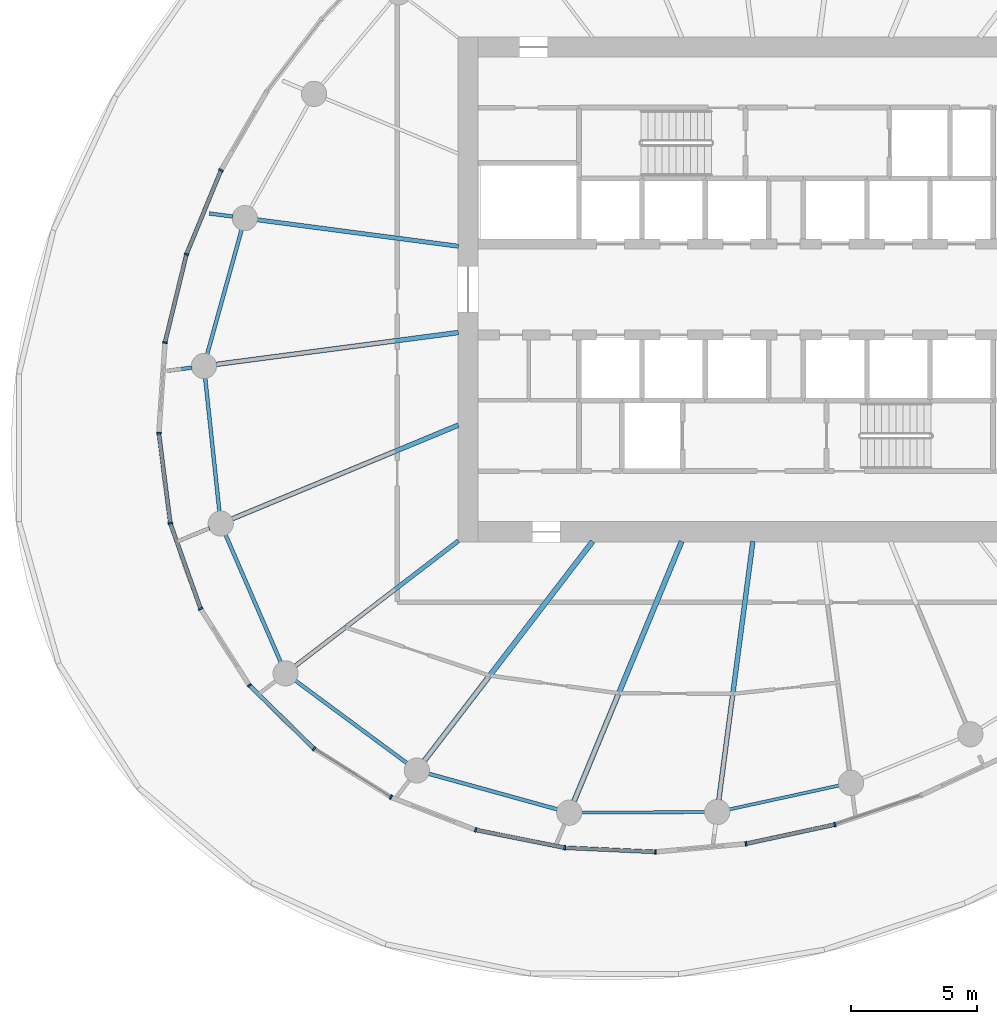
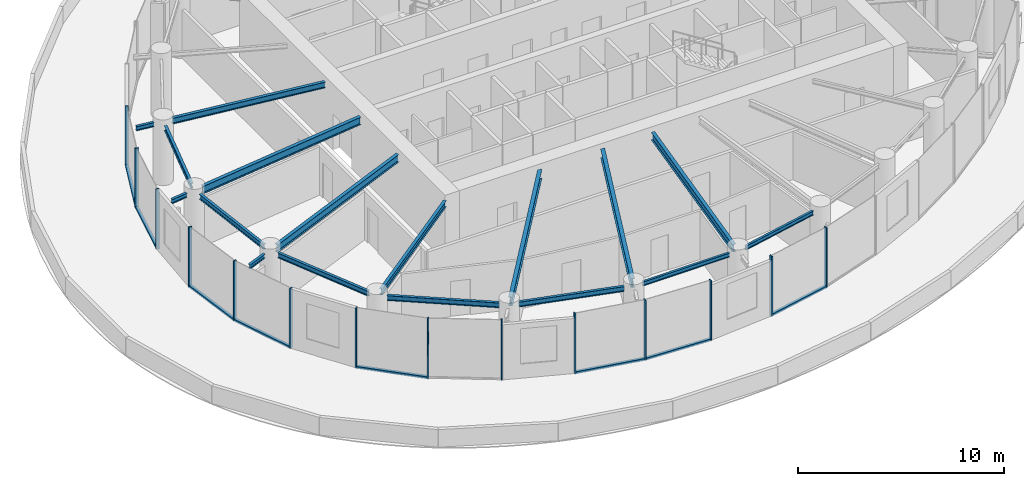
# One storey, part 2 of 21: 22 members, 17 beams, 3 elements without a shape of their own.
"""IFC4 building model written with IfcOpenShell, lengths in metres."""

from ifc_helpers import new_model, si_unit, direction, frame, origin, origin_2d, place, context, subcontext, project, spatial, rectangle, i_section, extrude, source, transform, mapped, material, layer, layer_set, material_profile, profile_set, type_object, element, aggregate, save


model = new_model("IFC4")

# Units and contexts
model_context = context("Model", 3, precision=1e-05, world=origin(), true_north=direction((0.0, 1.0)))
body_context = subcontext(model_context, "Body", "Model", "MODEL_VIEW")
ifc_project = project(units=[si_unit("LENGTHUNIT", "METRE"), si_unit("AREAUNIT", "SQUARE_METRE"), si_unit("VOLUMEUNIT", "CUBIC_METRE"), si_unit("PLANEANGLEUNIT", "RADIAN"), si_unit("MASSUNIT", "GRAM", prefix="KILO")], contexts=[model_context])

# Site, building, storey
site_placement = place(None, origin())
site = spatial("IfcSite", under=ifc_project, at=site_placement, CompositionType="ELEMENT")
building_placement = place(site_placement, origin())
building = spatial("IfcBuilding", under=site, at=building_placement, Name="Spindrift Exchange Tower", CompositionType="ELEMENT")
storey_placement = place(building_placement, frame((0.0, 0.0, 133.10009765625)))
storey = spatial("IfcBuildingStorey", under=building, at=storey_placement, Name="L31", CompositionType="ELEMENT", Elevation=133.10009765625)

# Beams
ifc_material_1 = material(Name="Steel Grade 300", Category="steel")
ifc_material_profile_1 = material_profile(ifc_material_1, i_section(OverallWidth=0.18994140625, OverallDepth=0.4541015625, WebThickness=0.008544921875, FlangeThickness=0.0126953125, FilletRadius=0.013916015625, at=origin_2d()), Name="460UB67.1")
ifc_profile_set_1 = profile_set([ifc_material_profile_1], Name="Steel Grade 300")
beam_type_1 = type_object("IfcBeamType", Name="Floor Beam 460UB67.1 Steel Grade 300", PredefinedType="BEAM", material=ifc_profile_set_1)
shared_shape_1 = source(origin(), body_context, "Body", "SweptSolid", [
    extrude(i_section(OverallWidth=0.18994140625, OverallDepth=0.4541015625, WebThickness=0.008544921875, FlangeThickness=0.0126953125, FilletRadius=0.013916015625, at=origin_2d()), origin(), (0.0, 0.0, 1.0), 9.688720703125),
])
beam_1_placement = place(storey_placement, frame((39.019775390625, 46.291015625, 3.352783203125), z_axis=(-0.991448119245, -0.130501443846, 0.0), x_axis=(0.130501443846, -0.991448119245, 0.0)))
element("IfcBeam", 1, at=beam_1_placement, inside=storey, type_object=beam_type_1, Name="L31 radial beam R13A", PredefinedType="BEAM", context=body_context, shape_type="MappedRepresentation", body=[
    mapped(shared_shape_1, transform((0.0, 0.0, 0.0), scale=1.0)),
])
shared_shape_2 = source(origin(), body_context, "Body", "SweptSolid", [
    extrude(i_section(OverallWidth=0.18994140625, OverallDepth=0.4541015625, WebThickness=0.008544921875, FlangeThickness=0.0126953125, FilletRadius=0.013916015625, at=origin_2d()), origin(), (0.0, 0.0, 1.0), 9.7109375),
])
beam_2_placement = place(storey_placement, frame((39.0185546875, 42.622802734375, 3.352783203125), z_axis=(-0.923884154486, -0.382672273741, 0.0), x_axis=(0.382672273741, -0.923884154486, 0.0)))
element("IfcBeam", 2, at=beam_2_placement, inside=storey, type_object=beam_type_1, Name="L31 radial beam R14A", PredefinedType="BEAM", context=body_context, shape_type="MappedRepresentation", body=[
    mapped(shared_shape_2, transform((0.0, 0.0, 0.0), scale=1.0)),
])
ifc_material_profile_2 = material_profile(ifc_material_1, i_section(OverallWidth=0.1708984375, OverallDepth=0.35205078125, WebThickness=0.0068359375, FlangeThickness=0.009765625, FilletRadius=0.013916015625, at=origin_2d()), Name="360UB44.7")
ifc_profile_set_2 = profile_set([ifc_material_profile_2], Name="Steel Grade 300")
beam_type_2 = type_object("IfcBeamType", Name="Floor Beam 360UB44.7 Steel Grade 300", PredefinedType="BEAM", material=ifc_profile_set_2)
shared_shape_3 = source(origin(), body_context, "Body", "SweptSolid", [
    extrude(i_section(OverallWidth=0.1708984375, OverallDepth=0.35205078125, WebThickness=0.0068359375, FlangeThickness=0.009765625, FilletRadius=0.013916015625, at=origin_2d()), origin(), (0.0, 0.0, 1.0), 8.143798828125),
])
beam_3_placement = place(storey_placement, frame((39.015869140625, 38.036865234375, 3.40380859375), z_axis=(-0.793361179131, -0.608751213098, 0.0), x_axis=(0.608751213098, -0.793361179131, 0.0)))
element("IfcBeam", 3, at=beam_3_placement, inside=storey, type_object=beam_type_2, Name="L31 radial beam R15A", PredefinedType="BEAM", context=body_context, shape_type="MappedRepresentation", body=[
    mapped(shared_shape_3, transform((0.0, 0.0, 0.0), scale=1.0)),
])
ifc_material_profile_3 = material_profile(ifc_material_1, i_section(OverallWidth=0.208984375, OverallDepth=0.528076171875, WebThickness=0.009521484375, FlangeThickness=0.01318359375, FilletRadius=0.013916015625, at=origin_2d()), Name="530UB82.0")
ifc_profile_set_3 = profile_set([ifc_material_profile_3], Name="Steel Grade 300")
beam_type_3 = type_object("IfcBeamType", Name="Floor Beam 530UB82.0 Steel Grade 300", PredefinedType="BEAM", material=ifc_profile_set_3)
shared_shape_4 = source(origin(), body_context, "Body", "SweptSolid", [
    extrude(i_section(OverallWidth=0.208984375, OverallDepth=0.528076171875, WebThickness=0.009521484375, FlangeThickness=0.01318359375, FilletRadius=0.013916015625, at=origin_2d()), origin(), (0.0, 0.0, 1.0), 10.959228515625),
])
beam_4_placement = place(storey_placement, frame((44.3388671875, 38.015869140625, 3.31591796875), z_axis=(-0.608764008616, -0.793351360882, 0.0), x_axis=(0.793351360882, -0.608764008616, 0.0)))
element("IfcBeam", 4, at=beam_4_placement, inside=storey, type_object=beam_type_3, Name="L31 radial beam R16A", PredefinedType="BEAM", context=body_context, shape_type="MappedRepresentation", body=[
    mapped(shared_shape_4, transform((0.0, 0.0, 0.0), scale=1.0)),
])
shared_shape_5 = source(origin(), body_context, "Body", "SweptSolid", [
    extrude(i_section(OverallWidth=0.208984375, OverallDepth=0.528076171875, WebThickness=0.009521484375, FlangeThickness=0.01318359375, FilletRadius=0.013916015625, at=origin_2d()), origin(), (0.0, 0.0, 1.0), 11.155029296875),
])
beam_5_placement = place(storey_placement, frame((47.865478515625, 38.0185546875, 3.31591796875), z_axis=(-0.382679750175, -0.923881057716, 0.0), x_axis=(0.923881057716, -0.382679750175, 0.0)))
element("IfcBeam", 5, at=beam_5_placement, inside=storey, type_object=beam_type_3, Name="L31 radial beam R17A", PredefinedType="BEAM", context=body_context, shape_type="MappedRepresentation", body=[
    mapped(shared_shape_5, transform((0.0, 0.0, 0.0), scale=1.0)),
])
shared_shape_6 = source(origin(), body_context, "Body", "SweptSolid", [
    extrude(i_section(OverallWidth=0.18994140625, OverallDepth=0.4541015625, WebThickness=0.008544921875, FlangeThickness=0.0126953125, FilletRadius=0.013916015625, at=origin_2d()), origin(), (0.0, 0.0, 1.0), 10.337646484375),
])
beam_6_placement = place(storey_placement, frame((50.68603515625, 38.019775390625, 3.352783203125), z_axis=(-0.130528432357, -0.991444566452, 0.0), x_axis=(0.991444566452, -0.130528432357, 0.0)))
element("IfcBeam", 6, at=beam_6_placement, inside=storey, type_object=beam_type_1, Name="L31 radial beam R18A", PredefinedType="BEAM", context=body_context, shape_type="MappedRepresentation", body=[
    mapped(shared_shape_6, transform((0.0, 0.0, 0.0), scale=1.0)),
])
shared_shape_7 = source(origin(), body_context, "Body", "SweptSolid", [
    extrude(i_section(OverallWidth=0.1708984375, OverallDepth=0.35205078125, WebThickness=0.0068359375, FlangeThickness=0.009765625, FilletRadius=0.013916015625, at=origin_2d()), origin(), (0.0, 0.0, 1.0), 8.0537109375),
])
beam_7_placement = place(storey_placement, frame((39.019775390625, 49.708984375, 3.40380859375), z_axis=(-0.991448103694, 0.130501561989, 0.0), x_axis=(-0.130501561989, -0.991448103694, 0.0)))
element("IfcBeam", 7, at=beam_7_placement, inside=storey, type_object=beam_type_2, Name="L31 radial beam R12A", PredefinedType="BEAM", context=body_context, shape_type="MappedRepresentation", body=[
    mapped(shared_shape_7, transform((0.0, 0.0, 0.0), scale=1.0)),
])
ifc_material_profile_4 = material_profile(ifc_material_1, i_section(OverallWidth=0.14599609375, OverallDepth=0.251953125, WebThickness=0.006103515625, FlangeThickness=0.008544921875, FilletRadius=0.011962890625, at=origin_2d()), Name="250UB31.4")
ifc_profile_set_4 = profile_set([ifc_material_profile_4], Name="Steel Grade 300")
beam_type_4 = type_object("IfcBeamType", Name="Cantilever Beam 250UB31.4 Steel Grade 300", PredefinedType="BEAM", material=ifc_profile_set_4)
shared_shape_8 = source(origin(), body_context, "Body", "SweptSolid", [
    extrude(i_section(OverallWidth=0.14599609375, OverallDepth=0.251953125, WebThickness=0.006103515625, FlangeThickness=0.008544921875, FilletRadius=0.011962890625, at=origin_2d()), origin(), (0.0, 0.0, 1.0), 0.9345703125),
])
beam_8_placement = place(storey_placement, frame((30.0830078125, 50.885498046875, 3.453857421875), z_axis=(-0.991465851642, 0.130366656118, 0.0), x_axis=(-0.130366656118, -0.991465851642, 0.0)))
element("IfcBeam", 8, at=beam_8_placement, inside=storey, type_object=beam_type_4, Name="L31 cantilever beam R12T", PredefinedType="BEAM", context=body_context, shape_type="MappedRepresentation", body=[
    mapped(shared_shape_8, transform((0.0, 0.0, 0.0), scale=1.0)),
])
shared_shape_9 = source(origin(), body_context, "Body", "SweptSolid", [
    extrude(i_section(OverallWidth=0.14599609375, OverallDepth=0.251953125, WebThickness=0.006103515625, FlangeThickness=0.008544921875, FilletRadius=0.011962890625, at=origin_2d()), origin(), (0.0, 0.0, 1.0), 0.927490234375),
])
beam_9_placement = place(storey_placement, frame((28.462158203125, 44.901123046875, 3.453857421875), z_axis=(-0.991438159017, -0.130577091575, 0.0), x_axis=(0.130577091575, -0.991438159017, 0.0)))
element("IfcBeam", 9, at=beam_9_placement, inside=storey, type_object=beam_type_4, Name="L31 cantilever beam R13T", PredefinedType="BEAM", context=body_context, shape_type="MappedRepresentation", body=[
    mapped(shared_shape_9, transform((0.0, 0.0, 0.0), scale=1.0)),
])
shared_shape_10 = source(origin(), body_context, "Body", "SweptSolid", [
    extrude(i_section(OverallWidth=0.14599609375, OverallDepth=0.251953125, WebThickness=0.006103515625, FlangeThickness=0.008544921875, FilletRadius=0.011962890625, at=origin_2d()), origin(), (0.0, 0.0, 1.0), 1.2021484375),
])
beam_10_placement = place(storey_placement, frame((29.159912109375, 38.539306640625, 3.453857421875), z_axis=(-0.923826211102, -0.382812136278, 0.0), x_axis=(0.382812136278, -0.923826211102, 0.0)))
element("IfcBeam", 10, at=beam_10_placement, inside=storey, type_object=beam_type_4, Name="L31 cantilever beam R14T", PredefinedType="BEAM", context=body_context, shape_type="MappedRepresentation", body=[
    mapped(shared_shape_10, transform((0.0, 0.0, 0.0), scale=1.0)),
])
ifc_material_profile_5 = material_profile(ifc_material_1, i_section(OverallWidth=0.14892578125, OverallDepth=0.298095703125, WebThickness=0.005615234375, FlangeThickness=0.008056640625, FilletRadius=0.012939453125, at=origin_2d()), Name="310UB32.0")
ifc_profile_set_5 = profile_set([ifc_material_profile_5], Name="Steel Grade 300")
beam_type_5 = type_object("IfcBeamType", Name="Edge Beam 310UB32.0 Steel Grade 300", PredefinedType="SPANDREL", material=ifc_profile_set_5)
shared_shape_11 = source(origin(), body_context, "Body", "SweptSolid", [
    extrude(i_section(OverallWidth=0.14892578125, OverallDepth=0.298095703125, WebThickness=0.005615234375, FlangeThickness=0.008056640625, FilletRadius=0.012939453125, at=origin_2d()), origin(), (0.0, 0.0, 1.0), 5.31640625),
])
beam_11_placement = place(storey_placement, frame((28.989013671875, 44.486572265625, 3.430908203125), z_axis=(0.10598990948, -0.994367205357, 0.0), x_axis=(0.994367205357, 0.10598990948, 0.0)))
element("IfcBeam", 11, at=beam_11_placement, inside=storey, type_object=beam_type_5, Name="L31 edge beam E13", PredefinedType="SPANDREL", context=body_context, shape_type="MappedRepresentation", body=[
    mapped(shared_shape_11, transform((0.0, 0.0, 0.0), scale=1.0)),
])
shared_shape_12 = source(origin(), body_context, "Body", "SweptSolid", [
    extrude(i_section(OverallWidth=0.14892578125, OverallDepth=0.298095703125, WebThickness=0.005615234375, FlangeThickness=0.008056640625, FilletRadius=0.012939453125, at=origin_2d()), origin(), (0.0, 0.0, 1.0), 5.508544921875),
])
beam_12_placement = place(storey_placement, frame((29.794189453125, 38.282470703125, 3.430908203125), z_axis=(0.397414644433, -0.917639144975, 0.0), x_axis=(0.917639144975, 0.397414644433, 0.0)))
element("IfcBeam", 12, at=beam_12_placement, inside=storey, type_object=beam_type_5, Name="L31 edge beam E14", PredefinedType="SPANDREL", context=body_context, shape_type="MappedRepresentation", body=[
    mapped(shared_shape_12, transform((0.0, 0.0, 0.0), scale=1.0)),
])
shared_shape_13 = source(origin(), body_context, "Body", "SweptSolid", [
    extrude(i_section(OverallWidth=0.14892578125, OverallDepth=0.298095703125, WebThickness=0.005615234375, FlangeThickness=0.008056640625, FilletRadius=0.012939453125, at=origin_2d()), origin(), (0.0, 0.0, 1.0), 5.509033203125),
])
beam_13_placement = place(storey_placement, frame((32.56005859375, 32.501708984375, 3.430908203125), z_axis=(0.803991901791, -0.594640245741, 0.0), x_axis=(0.594640245741, 0.803991901791, 0.0)))
element("IfcBeam", 13, at=beam_13_placement, inside=storey, type_object=beam_type_5, Name="L31 edge beam E15", PredefinedType="SPANDREL", context=body_context, shape_type="MappedRepresentation", body=[
    mapped(shared_shape_13, transform((0.0, 0.0, 0.0), scale=1.0)),
])
shared_shape_14 = source(origin(), body_context, "Body", "SweptSolid", [
    extrude(i_section(OverallWidth=0.14892578125, OverallDepth=0.298095703125, WebThickness=0.005615234375, FlangeThickness=0.008056640625, FilletRadius=0.012939453125, at=origin_2d()), origin(), (0.0, 0.0, 1.0), 5.30517578125),
])
beam_14_placement = place(storey_placement, frame((37.837646484375, 28.8125, 3.430908203125), z_axis=(0.963757513624, -0.26677978734, 0.0), x_axis=(0.26677978734, 0.963757513624, 0.0)))
element("IfcBeam", 14, at=beam_14_placement, inside=storey, type_object=beam_type_5, Name="L31 edge beam E16", PredefinedType="SPANDREL", context=body_context, shape_type="MappedRepresentation", body=[
    mapped(shared_shape_14, transform((0.0, 0.0, 0.0), scale=1.0)),
])
ifc_material_profile_6 = material_profile(ifc_material_1, i_section(OverallWidth=0.1240234375, OverallDepth=0.248046875, WebThickness=0.0048828125, FlangeThickness=0.008056640625, FilletRadius=0.011962890625, at=origin_2d()), Name="250UB25.7")
ifc_profile_set_6 = profile_set([ifc_material_profile_6], Name="Steel Grade 300")
beam_type_6 = type_object("IfcBeamType", Name="Edge Beam 250UB25.7 Steel Grade 300", PredefinedType="SPANDREL", material=ifc_profile_set_6)
shared_shape_15 = source(origin(), body_context, "Body", "SweptSolid", [
    extrude(i_section(OverallWidth=0.1240234375, OverallDepth=0.248046875, WebThickness=0.0048828125, FlangeThickness=0.008056640625, FilletRadius=0.011962890625, at=origin_2d()), origin(), (0.0, 0.0, 1.0), 4.901123046875),
])
beam_15_placement = place(storey_placement, frame((43.89306640625, 27.271240234375, 3.455810546875), z_axis=(0.999990609444, 0.004333707747, 0.0), x_axis=(-0.004333707747, 0.999990609444, 0.0)))
element("IfcBeam", 15, at=beam_15_placement, inside=storey, type_object=beam_type_6, Name="L31 edge beam E17", PredefinedType="SPANDREL", context=body_context, shape_type="MappedRepresentation", body=[
    mapped(shared_shape_15, transform((0.0, 0.0, 0.0), scale=1.0)),
])
shared_shape_16 = source(origin(), body_context, "Body", "SweptSolid", [
    extrude(i_section(OverallWidth=0.1240234375, OverallDepth=0.248046875, WebThickness=0.0048828125, FlangeThickness=0.008056640625, FilletRadius=0.011962890625, at=origin_2d()), origin(), (0.0, 0.0, 1.0), 4.464111328125),
])
beam_16_placement = place(storey_placement, frame((49.7431640625, 27.396728515625, 3.455810546875), z_axis=(0.977095837978, 0.212799726048, 0.0), x_axis=(-0.212799726048, 0.977095837978, 0.0)))
element("IfcBeam", 16, at=beam_16_placement, inside=storey, type_object=beam_type_6, Name="L31 edge beam E18", PredefinedType="SPANDREL", context=body_context, shape_type="MappedRepresentation", body=[
    mapped(shared_shape_16, transform((0.0, 0.0, 0.0), scale=1.0)),
])
shared_shape_17 = source(origin(), body_context, "Body", "SweptSolid", [
    extrude(i_section(OverallWidth=0.14892578125, OverallDepth=0.298095703125, WebThickness=0.005615234375, FlangeThickness=0.008056640625, FilletRadius=0.012939453125, at=origin_2d()), origin(), (0.0, 0.0, 1.0), 5.118896484375),
])
beam_17_placement = place(storey_placement, frame((30.430908203125, 50.360107421875, 3.430908203125), z_axis=(-0.266654866605, -0.963792084485, 0.0), x_axis=(0.963792084485, -0.266654866605, 0.0)))
element("IfcBeam", 17, at=beam_17_placement, inside=storey, type_object=beam_type_5, Name="L31 edge beam E12", PredefinedType="SPANDREL", context=body_context, shape_type="MappedRepresentation", body=[
    mapped(shared_shape_17, transform((0.0, 0.0, 0.0), scale=1.0)),
])

# Curtain wall, members
ifc_material_2 = material(Name="Fritted laminated glass with bronze frame", Category="glass")
ifc_layer = layer(ifc_material_2, 0.179931640625)
ifc_layer_set = layer_set([ifc_layer], Name="ZONE 3 BRONZE FRITTED WALL")
curtain_wall_type = type_object("IfcCurtainWallType", Name="ZONE 3 BRONZE FRITTED WALL", PredefinedType="NOTDEFINED", material=ifc_layer_set)
curtain_wall_1_placement = place(storey_placement, origin())
curtain_wall_1 = element("IfcCurtainWall", 18, at=curtain_wall_1_placement, inside=storey, type_object=curtain_wall_type, Name="L31 Zone 3 Bronze Fritted Wall run 2", PredefinedType="NOTDEFINED")
ifc_material_3 = material(Name="Bronze anodised aluminium", Category="aluminium")
ifc_material_profile_7 = material_profile(ifc_material_3, rectangle(XDim=0.070068359375, YDim=0.179931640625, at=origin_2d()), Name="ZONE 3 BRONZE FRITTED WALL MULLION 70X180")
ifc_profile_set_7 = profile_set([ifc_material_profile_7], Name="Bronze anodised aluminium")
member_type_1 = type_object("IfcMemberType", Name="ZONE 3 BRONZE FRITTED WALL MULLION 70X180", PredefinedType="MULLION", material=ifc_profile_set_7)
shared_shape_18 = source(origin(), body_context, "Body", "SweptSolid", [
    extrude(rectangle(XDim=0.070068359375, YDim=0.179931640625, at=origin_2d()), origin(), (0.0, 0.0, 1.0), 3.579833984375),
])
member_1_placement = place(storey_placement, frame((29.615966796875, 52.719482421875, 0.0), z_axis=(0.0, 0.0, 1.0), x_axis=(-0.44192704634, -0.897050993931, 0.0)))
member_1 = element("IfcMember", 19, at=member_1_placement, type_object=member_type_1, Name="L31 mullion CW-3.9", PredefinedType="MULLION", context=body_context, shape_type="MappedRepresentation", body=[
    mapped(shared_shape_18, transform((0.0, 0.0, 0.0), scale=1.0)),
])
member_2_placement = place(storey_placement, frame((28.247314453125, 49.390380859375, 0.0), z_axis=(0.0, 0.0, 1.0), x_axis=(-0.309236193269, -0.950985266328, 0.0)))
member_2 = element("IfcMember", 20, at=member_2_placement, type_object=member_type_1, Name="L31 mullion CW-3.10", PredefinedType="MULLION", context=body_context, shape_type="MappedRepresentation", body=[
    mapped(shared_shape_18, transform((0.0, 0.0, 0.0), scale=1.0)),
])
member_3_placement = place(storey_placement, frame((27.396484375, 45.893798828125, 0.0), z_axis=(0.0, 0.0, 1.0), x_axis=(-0.152415521687, -0.988316502315, 0.0)))
member_3 = element("IfcMember", 21, at=member_3_placement, type_object=member_type_1, Name="L31 mullion CW-3.11", PredefinedType="MULLION", context=body_context, shape_type="MappedRepresentation", body=[
    mapped(shared_shape_18, transform((0.0, 0.0, 0.0), scale=1.0)),
])
member_4_placement = place(storey_placement, frame((27.154296875, 42.304443359375, 0.0), z_axis=(0.0, 0.0, 1.0), x_axis=(0.029429441822, -0.999566860172, 0.0)))
member_4 = element("IfcMember", 22, at=member_4_placement, type_object=member_type_1, Name="L31 mullion CW-3.12", PredefinedType="MULLION", context=body_context, shape_type="MappedRepresentation", body=[
    mapped(shared_shape_18, transform((0.0, 0.0, 0.0), scale=1.0)),
])

curtain_wall_2_placement = place(storey_placement, origin())
curtain_wall_2 = element("IfcCurtainWall", 23, at=curtain_wall_2_placement, inside=storey, type_object=curtain_wall_type, Name="L31 Zone 3 Bronze Fritted Wall run 3", PredefinedType="NOTDEFINED")
member_5_placement = place(storey_placement, frame((27.60693359375, 38.73681640625, 0.0), z_axis=(0.0, 0.0, 1.0), x_axis=(0.231187389343, -0.97290924089, 0.0)))
member_5 = element("IfcMember", 24, at=member_5_placement, type_object=member_type_1, Name="L31 mullion CW-3.13", PredefinedType="MULLION", context=body_context, shape_type="MappedRepresentation", body=[
    mapped(shared_shape_18, transform((0.0, 0.0, 0.0), scale=1.0)),
])
member_6_placement = place(storey_placement, frame((28.80712890625, 35.347900390625, 0.0), z_axis=(0.0, 0.0, 1.0), x_axis=(0.438507660737, -0.898727451164, 0.0)))
member_6 = element("IfcMember", 25, at=member_6_placement, type_object=member_type_1, Name="L31 mullion CW-3.14", PredefinedType="MULLION", context=body_context, shape_type="MappedRepresentation", body=[
    mapped(shared_shape_18, transform((0.0, 0.0, 0.0), scale=1.0)),
])
member_7_placement = place(storey_placement, frame((30.739501953125, 32.316650390625, 0.0), z_axis=(0.0, 0.0, 1.0), x_axis=(0.629592414254, -0.77692560256, 0.0)))
member_7 = element("IfcMember", 26, at=member_7_placement, type_object=member_type_1, Name="L31 mullion CW-3.15", PredefinedType="MULLION", context=body_context, shape_type="MappedRepresentation", body=[
    mapped(shared_shape_18, transform((0.0, 0.0, 0.0), scale=1.0)),
])
member_8_placement = place(storey_placement, frame((33.3046875, 29.798095703125, 0.0), z_axis=(0.0, 0.0, 1.0), x_axis=(0.784359913762, -0.62030599359, 0.0)))
member_8 = element("IfcMember", 27, at=member_8_placement, type_object=member_type_1, Name="L31 mullion CW-3.16", PredefinedType="MULLION", context=body_context, shape_type="MappedRepresentation", body=[
    mapped(shared_shape_18, transform((0.0, 0.0, 0.0), scale=1.0)),
])
member_9_placement = place(storey_placement, frame((36.347900390625, 27.881591796875, 0.0), z_axis=(0.0, 0.0, 1.0), x_axis=(0.893700888282, -0.448663261571, 0.0)))
member_9 = element("IfcMember", 28, at=member_9_placement, type_object=member_type_1, Name="L31 mullion CW-3.17", PredefinedType="MULLION", context=body_context, shape_type="MappedRepresentation", body=[
    mapped(shared_shape_18, transform((0.0, 0.0, 0.0), scale=1.0)),
])
member_10_placement = place(storey_placement, frame((39.703857421875, 26.585693359375, 0.0), z_axis=(0.0, 0.0, 1.0), x_axis=(0.960266358127, -0.279085150893, 0.0)))
member_10 = element("IfcMember", 29, at=member_10_placement, type_object=member_type_1, Name="L31 mullion CW-3.18", PredefinedType="MULLION", context=body_context, shape_type="MappedRepresentation", body=[
    mapped(shared_shape_18, transform((0.0, 0.0, 0.0), scale=1.0)),
])

curtain_wall_3_placement = place(storey_placement, origin())
curtain_wall_3 = element("IfcCurtainWall", 30, at=curtain_wall_3_placement, inside=storey, type_object=curtain_wall_type, Name="L31 Zone 3 Bronze Fritted Wall run 4", PredefinedType="NOTDEFINED")
member_11_placement = place(storey_placement, frame((43.23291015625, 25.880615234375, 0.0), z_axis=(0.0, 0.0, 1.0), x_axis=(0.992632644021, -0.121162840934, 0.0)))
member_11 = element("IfcMember", 31, at=member_11_placement, type_object=member_type_1, Name="L31 mullion CW-3.19", PredefinedType="MULLION", context=body_context, shape_type="MappedRepresentation", body=[
    mapped(shared_shape_18, transform((0.0, 0.0, 0.0), scale=1.0)),
])
member_12_placement = place(storey_placement, frame((46.82861328125, 25.716064453125, 0.0), z_axis=(0.0, 0.0, 1.0), x_axis=(0.999759699468, 0.021921298329, 0.0)))
member_12 = element("IfcMember", 32, at=member_12_placement, type_object=member_type_1, Name="L31 mullion CW-3.20", PredefinedType="MULLION", context=body_context, shape_type="MappedRepresentation", body=[
    mapped(shared_shape_18, transform((0.0, 0.0, 0.0), scale=1.0)),
])
member_13_placement = place(storey_placement, frame((50.4140625, 26.0380859375, 0.0), z_axis=(0.0, 0.0, 1.0), x_axis=(0.988602784729, 0.150547447755, 0.0)))
member_13 = element("IfcMember", 33, at=member_13_placement, type_object=member_type_1, Name="L31 mullion CW-3.21", PredefinedType="MULLION", context=body_context, shape_type="MappedRepresentation", body=[
    mapped(shared_shape_18, transform((0.0, 0.0, 0.0), scale=1.0)),
])
member_14_placement = place(storey_placement, frame((53.93359375, 26.798095703125, 0.0), z_axis=(0.0, 0.0, 1.0), x_axis=(0.963815672671, 0.266569595255, 0.0)))
member_14 = element("IfcMember", 34, at=member_14_placement, type_object=member_type_1, Name="L31 mullion CW-3.22", PredefinedType="MULLION", context=body_context, shape_type="MappedRepresentation", body=[
    mapped(shared_shape_18, transform((0.0, 0.0, 0.0), scale=1.0)),
])

# Member
ifc_material_profile_8 = material_profile(ifc_material_3, rectangle(XDim=0.159912109375, YDim=0.1298828125, at=origin_2d()), Name="ZONE 3 BRONZE FRITTED WALL TRANSOM 160X130")
ifc_profile_set_8 = profile_set([ifc_material_profile_8], Name="Bronze anodised aluminium")
member_type_2 = type_object("IfcMemberType", Name="ZONE 3 BRONZE FRITTED WALL TRANSOM 160X130", PredefinedType="USERDEFINED", material=ifc_profile_set_8)
shared_shape_19 = source(origin(), body_context, "Body", "SweptSolid", [
    extrude(rectangle(XDim=0.159912109375, YDim=0.1298828125, at=origin_2d()), origin(), (0.0, 0.0, 1.0), 3.529296875),
])
member_15_placement = place(storey_placement, frame((29.602783203125, 52.68701171875, 0.06494140625), z_axis=(-0.380318347615, -0.924855639799, 0.0), x_axis=(0.924855639799, -0.380318347615, 0.0)))
member_15 = element("IfcMember", 35, at=member_15_placement, type_object=member_type_2, Name="L31 transom CW-3.9", ObjectType="TRANSOM", PredefinedType="USERDEFINED", context=body_context, shape_type="MappedRepresentation", body=[
    mapped(shared_shape_19, transform((0.0, 0.0, 0.0), scale=1.0)),
])

member_16_placement = place(storey_placement, frame((43.267822265625, 25.87890625, 0.06494140625), z_axis=(0.998954084454, -0.045724579311, 0.0), x_axis=(0.045724579311, 0.998954084454, 0.0)))
member_16 = element("IfcMember", 36, at=member_16_placement, type_object=member_type_2, Name="L31 transom CW-3.19", ObjectType="TRANSOM", PredefinedType="USERDEFINED", context=body_context, shape_type="MappedRepresentation", body=[
    mapped(shared_shape_19, transform((0.0, 0.0, 0.0), scale=1.0)),
])

shared_shape_20 = source(origin(), body_context, "Body", "SweptSolid", [
    extrude(rectangle(XDim=0.159912109375, YDim=0.1298828125, at=origin_2d()), origin(), (0.0, 0.0, 1.0), 3.52880859375),
])
member_17_placement = place(storey_placement, frame((28.239013671875, 49.3564453125, 0.06494140625), z_axis=(-0.236409838421, -0.971653430137, 0.0), x_axis=(0.971653430137, -0.236409838421, 0.0)))
member_17 = element("IfcMember", 37, at=member_17_placement, type_object=member_type_2, Name="L31 transom CW-3.10", ObjectType="TRANSOM", PredefinedType="USERDEFINED", context=body_context, shape_type="MappedRepresentation", body=[
    mapped(shared_shape_20, transform((0.0, 0.0, 0.0), scale=1.0)),
])

member_18_placement = place(storey_placement, frame((39.738037109375, 26.578857421875, 0.06494140625), z_axis=(0.980617911071, -0.195929866245, 0.0), x_axis=(0.195929866245, 0.980617911071, 0.0)))
member_18 = element("IfcMember", 38, at=member_18_placement, type_object=member_type_2, Name="L31 transom CW-3.18", ObjectType="TRANSOM", PredefinedType="USERDEFINED", context=body_context, shape_type="MappedRepresentation", body=[
    mapped(shared_shape_20, transform((0.0, 0.0, 0.0), scale=1.0)),
])

shared_shape_21 = source(origin(), body_context, "Body", "SweptSolid", [
    extrude(rectangle(XDim=0.159912109375, YDim=0.1298828125, at=origin_2d()), origin(), (0.0, 0.0, 1.0), 3.5263671875),
])
member_19_placement = place(storey_placement, frame((27.15869140625, 42.269775390625, 0.06494140625), z_axis=(0.125866548776, -0.992047182295, 0.0), x_axis=(0.992047182295, 0.125866548776, 0.0)))
member_19 = element("IfcMember", 39, at=member_19_placement, type_object=member_type_2, Name="L31 transom CW-3.12", ObjectType="TRANSOM", PredefinedType="USERDEFINED", context=body_context, shape_type="MappedRepresentation", body=[
    mapped(shared_shape_21, transform((0.0, 0.0, 0.0), scale=1.0)),
])

aggregate(curtain_wall_1, [member_1, member_15, member_2, member_17, member_3, member_4, member_19])

shared_shape_22 = source(origin(), body_context, "Body", "SweptSolid", [
    extrude(rectangle(XDim=0.159912109375, YDim=0.1298828125, at=origin_2d()), origin(), (0.0, 0.0, 1.0), 3.52490234375),
])
member_20_placement = place(storey_placement, frame((27.61865234375, 38.70361328125, 0.06494140625), z_axis=(0.333834321191, -0.942631765853, 0.0), x_axis=(0.942631765853, 0.333834321191, 0.0)))
member_20 = element("IfcMember", 40, at=member_20_placement, type_object=member_type_2, Name="L31 transom CW-3.13", ObjectType="TRANSOM", PredefinedType="USERDEFINED", context=body_context, shape_type="MappedRepresentation", body=[
    mapped(shared_shape_22, transform((0.0, 0.0, 0.0), scale=1.0)),
])

shared_shape_23 = source(origin(), body_context, "Body", "SweptSolid", [
    extrude(rectangle(XDim=0.159912109375, YDim=0.1298828125, at=origin_2d()), origin(), (0.0, 0.0, 1.0), 3.525146484375),
])
member_21_placement = place(storey_placement, frame((30.764404296875, 32.292236328125, 0.06494140625), z_axis=(0.713552639255, -0.700601620761, 0.0), x_axis=(0.700601620761, 0.713552639255, 0.0)))
member_21 = element("IfcMember", 41, at=member_21_placement, type_object=member_type_2, Name="L31 transom CW-3.15", ObjectType="TRANSOM", PredefinedType="USERDEFINED", context=body_context, shape_type="MappedRepresentation", body=[
    mapped(shared_shape_23, transform((0.0, 0.0, 0.0), scale=1.0)),
])

aggregate(curtain_wall_2, [member_5, member_20, member_6, member_7, member_21, member_8, member_9, member_10, member_18])

shared_shape_24 = source(origin(), body_context, "Body", "SweptSolid", [
    extrude(rectangle(XDim=0.159912109375, YDim=0.1298828125, at=origin_2d()), origin(), (0.0, 0.0, 1.0), 3.530517578125),
])
member_22_placement = place(storey_placement, frame((50.4482421875, 26.04541015625, 0.06494140625), z_axis=(0.977474350909, 0.211054242588, 0.0), x_axis=(-0.211054242588, 0.977474350909, 0.0)))
member_22 = element("IfcMember", 42, at=member_22_placement, type_object=member_type_2, Name="L31 transom CW-3.21", ObjectType="TRANSOM", PredefinedType="USERDEFINED", context=body_context, shape_type="MappedRepresentation", body=[
    mapped(shared_shape_24, transform((0.0, 0.0, 0.0), scale=1.0)),
])

aggregate(curtain_wall_3, [member_11, member_16, member_12, member_13, member_22, member_14])

save(model, "model.ifc")
